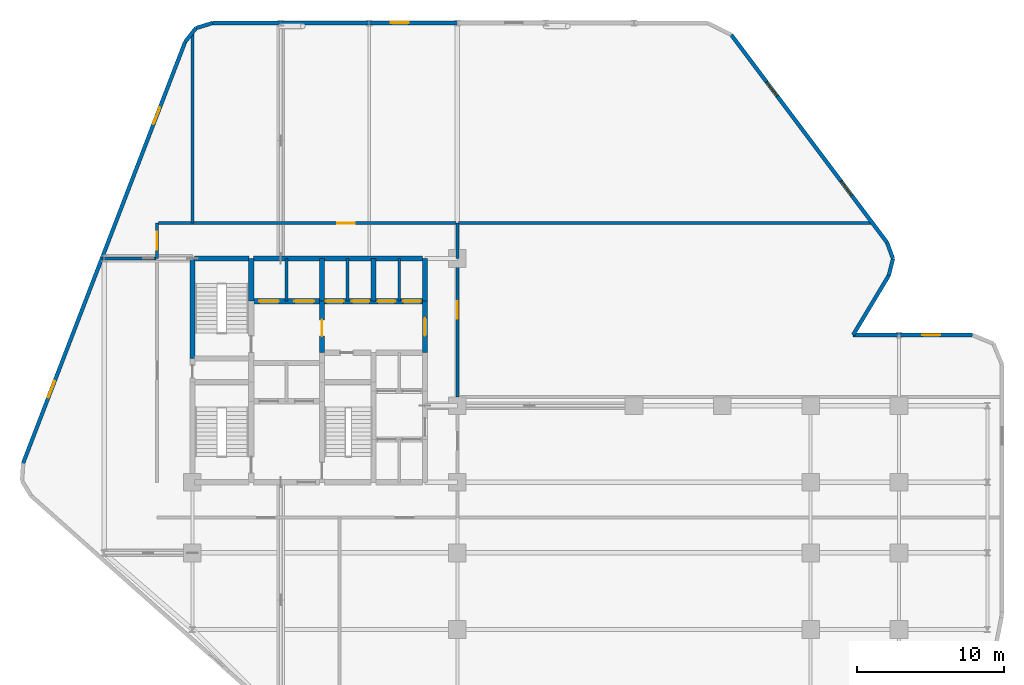
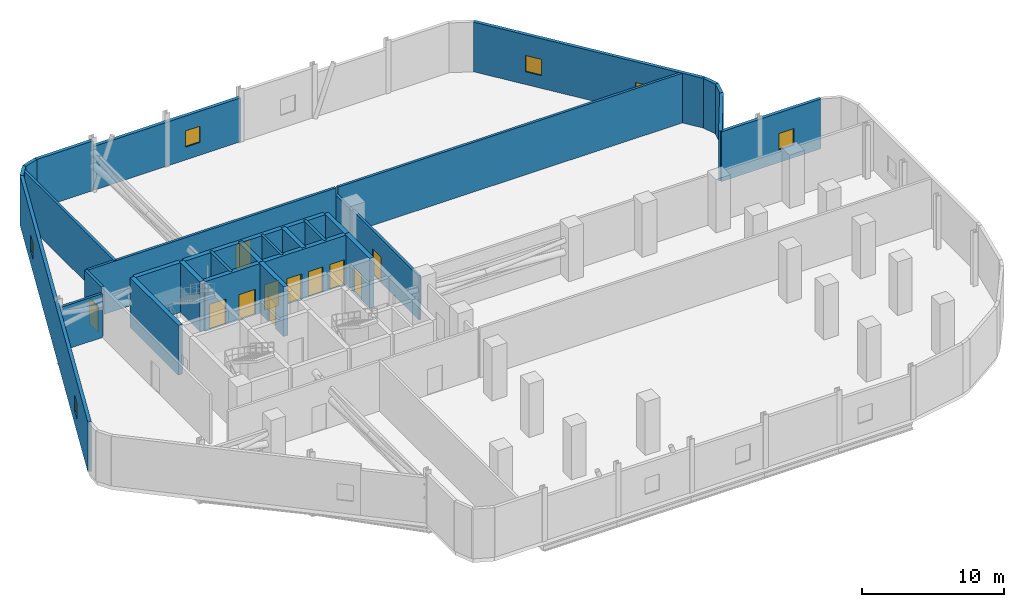
# One storey, part 7 of 9: 30 walls, 11 doors, 6 windows, 17 openings.
"""IFC4 building model written with IfcOpenShell, lengths in metres."""

from ifc_helpers import new_model, si_unit, direction, frame, frame_2d, origin, place, context, subcontext, project, spatial, rectangle, extrude, material, layer, layer_set, type_object, element, fill, save


model = new_model("IFC4")

# Units and contexts
model_context = context("Model", 3, precision=1e-05, world=origin(), true_north=direction((0.0, 1.0)))
body_context = subcontext(model_context, "Body", "Model", "MODEL_VIEW")
ifc_project = project(units=[si_unit("LENGTHUNIT", "METRE"), si_unit("AREAUNIT", "SQUARE_METRE"), si_unit("VOLUMEUNIT", "CUBIC_METRE"), si_unit("PLANEANGLEUNIT", "RADIAN"), si_unit("MASSUNIT", "GRAM", prefix="KILO")], contexts=[model_context])

# Site, building, storey
site_placement = place(None, origin())
site = spatial("IfcSite", under=ifc_project, at=site_placement, CompositionType="ELEMENT")
building_placement = place(site_placement, origin())
building = spatial("IfcBuilding", under=site, at=building_placement, Name="Keshet Zoharim Tower", CompositionType="ELEMENT")
storey_placement = place(building_placement, frame((0.0, 0.0, 61.0)))
storey = spatial("IfcBuildingStorey", under=building, at=storey_placement, Name="L14", CompositionType="ELEMENT", Elevation=61.0)

# Walls
ifc_material_1 = material(Name="Concrete C60/75", Category="concrete")
ifc_layer_1 = layer(ifc_material_1, 0.35009765625)
ifc_layer_set_1 = layer_set([ifc_layer_1], Name="Concrete C60/75")
wall_type_1 = type_object("IfcWallType", Name="WL-CORE-350", PredefinedType="SHEAR", material=ifc_layer_set_1)
wall_1_placement = place(storey_placement, frame((15.0, 31.10009765625, 0.0), z_axis=(0.0, 0.0, 1.0), x_axis=(0.0, 1.0, 0.0)))
element("IfcWall", 1, at=wall_1_placement, inside=storey, type_object=wall_type_1, Name="L14 Core Shear Wall 005", PredefinedType="SHEAR", context=body_context, shape_type="SweptSolid", body=[
    extrude(rectangle(XDim=6.7998046875, YDim=0.35009765625, at=frame_2d((3.39990234375, 0.0))), origin(), (0.0, 0.0, 1.0), 4.280029296875),
])
wall_2_placement = place(storey_placement, frame((19.0, 35.0, 0.0), z_axis=(0.0, 0.0, 1.0), x_axis=(0.0, 1.0, 0.0)))
element("IfcWall", 2, at=wall_2_placement, inside=storey, type_object=wall_type_1, Name="L14 Core Shear Wall 010", PredefinedType="SHEAR", context=body_context, shape_type="SweptSolid", body=[
    extrude(rectangle(XDim=2.89990234375, YDim=0.35009765625, at=frame_2d((1.449951171875, 0.0))), origin(), (0.0, 0.0, 1.0), 4.280029296875),
])

# Wall, opening, door
wall_3_placement = place(storey_placement, frame((23.800048828125, 31.5, 0.0), z_axis=(0.0, 0.0, 1.0), x_axis=(0.0, 1.0, 0.0)))
wall_3 = element("IfcWall", 3, at=wall_3_placement, inside=storey, type_object=wall_type_1, Name="L14 Core Shear Wall 017", PredefinedType="SHEAR", context=body_context, shape_type="SweptSolid", body=[
    extrude(rectangle(XDim=3.5, YDim=0.35009765625, at=frame_2d((1.75, 0.0))), origin(), (0.0, 0.0, 1.0), 4.280029296875),
])
opening_1_placement = place(wall_3_placement, frame((1.126953125, 0.0, 0.0)))
opening_1 = element("IfcOpeningElement", 4, at=opening_1_placement, cuts=wall_3, Name="Opening D-F611", PredefinedType="OPENING", context=body_context, shape_type="SweptSolid", body=[
    extrude(rectangle(XDim=1.10009765625, YDim=2.14990234375, at=frame_2d((0.550048828125, 1.074951171875))), frame((0.0, 0.18505859375, 0.0), z_axis=(0.0, -1.0, 0.0), x_axis=(1.0, 0.0, 0.0)), (0.0, 0.0, 1.0), 0.3701171875),
])
ifc_material_2 = material(Name="Hardwood Timber", Category="wood")
door_type_1 = type_object("IfcDoorType", Name="DR-FD60-110", OperationType="NOTDEFINED", PredefinedType="DOOR", material=ifc_material_2)
door_1_placement = place(opening_1_placement, origin())
door_1 = element("IfcDoor", 5, at=door_1_placement, inside=storey, type_object=door_type_1, Name="L14 Firefighting Lobby Fire Door", OperationType="SINGLE_SWING_RIGHT", OverallHeight=2.14990234375, OverallWidth=1.10009765625, PredefinedType="DOOR", context=body_context, shape_type="SweptSolid", body=[
    extrude(rectangle(XDim=1.10009765625, YDim=2.14990234375, at=frame_2d((0.550048828125, 1.074951171875))), frame((0.0, 0.02490234375, 0.0), z_axis=(0.0, -1.0, 0.0), x_axis=(1.0, 0.0, 0.0)), (0.0, 0.0, 1.0), 0.050048828125),
])
fill(opening_1, door_1)

# Walls
for number, where, z_axis, x_axis, name in (
    (6, (23.800048828125, 35.0, 0.0), (0.0, 0.0, 1.0), (0.0, 1.0, 0.0), "L14 Core Shear Wall 018"),
    (7, (27.300048828125, 35.0, 0.0), (0.0, 0.0, 1.0), (0.0, 1.0, 0.0), "L14 Core Shear Wall 025"),
):
    element("IfcWall", number, at=place(storey_placement, frame(where, z_axis=z_axis, x_axis=x_axis)), inside=storey, type_object=wall_type_1, Name=name, PredefinedType="SHEAR", context=body_context, shape_type="SweptSolid", body=[
        extrude(rectangle(XDim=2.89990234375, YDim=0.35009765625, at=frame_2d((1.449951171875, 0.0))), origin(), (0.0, 0.0, 1.0), 4.280029296875),
    ])

# Wall, opening, door
wall_4_placement = place(storey_placement, frame((30.800048828125, 31.5, 0.0), z_axis=(0.0, 0.0, 1.0), x_axis=(0.0, 1.0, 0.0)))
wall_4 = element("IfcWall", 8, at=wall_4_placement, inside=storey, type_object=wall_type_1, Name="L14 Core Shear Wall 032", PredefinedType="SHEAR", context=body_context, shape_type="SweptSolid", body=[
    extrude(rectangle(XDim=3.5, YDim=0.35009765625, at=frame_2d((1.75, 0.0))), origin(), (0.0, 0.0, 1.0), 4.280029296875),
])
opening_2_placement = place(wall_4_placement, frame((1.14990234375, 0.0, 0.0)))
opening_2 = element("IfcOpeningElement", 9, at=opening_2_placement, cuts=wall_4, Name="Opening D-F612", PredefinedType="OPENING", context=body_context, shape_type="SweptSolid", body=[
    extrude(rectangle(XDim=1.199951171875, YDim=2.199951171875, at=frame_2d((0.60009765625, 1.10009765625))), frame((0.0, 0.18505859375, 0.0), z_axis=(0.0, -1.0, 0.0), x_axis=(1.0, 0.0, 0.0)), (0.0, 0.0, 1.0), 0.3701171875),
])
door_type_2 = type_object("IfcDoorType", Name="DR-FD60-120", OperationType="NOTDEFINED", PredefinedType="DOOR", material=ifc_material_2)
door_2_placement = place(opening_2_placement, origin())
door_2 = element("IfcDoor", 10, at=door_2_placement, inside=storey, type_object=door_type_2, Name="L14 North Lift Lobby East Fire Door", OperationType="SINGLE_SWING_RIGHT", OverallHeight=2.199951171875, OverallWidth=1.199951171875, PredefinedType="DOOR", context=body_context, shape_type="SweptSolid", body=[
    extrude(rectangle(XDim=1.199951171875, YDim=2.199951171875, at=frame_2d((0.60009765625, 1.10009765625))), frame((0.0, 0.02490234375, 0.0), z_axis=(0.0, -1.0, 0.0), x_axis=(1.0, 0.0, 0.0)), (0.0, 0.0, 1.0), 0.050048828125),
])
fill(opening_2, door_2)

# Wall
wall_5_placement = place(storey_placement, frame((30.800048828125, 35.0, 0.0), z_axis=(0.0, 0.0, 1.0), x_axis=(0.0, 1.0, 0.0)))
element("IfcWall", 11, at=wall_5_placement, inside=storey, type_object=wall_type_1, Name="L14 Core Shear Wall 033", PredefinedType="SHEAR", context=body_context, shape_type="SweptSolid", body=[
    extrude(rectangle(XDim=2.89990234375, YDim=0.35009765625, at=frame_2d((1.449951171875, 0.0))), origin(), (0.0, 0.0, 1.0), 4.280029296875),
])

# Wall, openings, doors
wall_6_placement = place(storey_placement, frame((19.159912109375, 35.0, 0.0), z_axis=(0.0, 0.0, 1.0), x_axis=(1.0, 0.0, 0.0)))
wall_6 = element("IfcWall", 12, at=wall_6_placement, inside=storey, type_object=wall_type_1, Name="L14 Core Shear Wall 052", PredefinedType="SHEAR", context=body_context, shape_type="SweptSolid", body=[
    extrude(rectangle(XDim=11.47998046875, YDim=0.35009765625, at=frame_2d((5.739990234375, 0.0))), origin(), (0.0, 0.0, 1.0), 4.280029296875),
])
opening_3_placement = place(wall_6_placement, frame((0.364990234375, 0.0, 0.0)))
opening_3 = element("IfcOpeningElement", 13, at=opening_3_placement, cuts=wall_6, Name="Opening LD-02", PredefinedType="OPENING", context=body_context, shape_type="SweptSolid", body=[
    extrude(rectangle(XDim=1.35009765625, YDim=2.199951171875, at=frame_2d((0.675048828125, 1.10009765625))), frame((0.0, 0.18505859375, 0.0), z_axis=(0.0, -1.0, 0.0), x_axis=(1.0, 0.0, 0.0)), (0.0, 0.0, 1.0), 0.3701171875),
])
opening_4_placement = place(wall_6_placement, frame((2.764892578125, 0.0, 0.0)))
opening_4 = element("IfcOpeningElement", 14, at=opening_4_placement, cuts=wall_6, Name="Opening LD-02", PredefinedType="OPENING", context=body_context, shape_type="SweptSolid", body=[
    extrude(rectangle(XDim=1.35009765625, YDim=2.199951171875, at=frame_2d((0.675048828125, 1.10009765625))), frame((0.0, 0.18505859375, 0.0), z_axis=(0.0, -1.0, 0.0), x_axis=(1.0, 0.0, 0.0)), (0.0, 0.0, 1.0), 0.3701171875),
])
opening_5_placement = place(wall_6_placement, frame((4.9150390625, 0.0, 0.0)))
opening_5 = element("IfcOpeningElement", 15, at=opening_5_placement, cuts=wall_6, Name="Opening LD-03", PredefinedType="OPENING", context=body_context, shape_type="SweptSolid", body=[
    extrude(rectangle(XDim=1.199951171875, YDim=2.199951171875, at=frame_2d((0.60009765625, 1.10009765625))), frame((0.0, 0.18505859375, 0.0), z_axis=(0.0, -1.0, 0.0), x_axis=(1.0, 0.0, 0.0)), (0.0, 0.0, 1.0), 0.3701171875),
])
opening_6_placement = place(wall_6_placement, frame((6.6650390625, 0.0, 0.0)))
opening_6 = element("IfcOpeningElement", 16, at=opening_6_placement, cuts=wall_6, Name="Opening LD-03", PredefinedType="OPENING", context=body_context, shape_type="SweptSolid", body=[
    extrude(rectangle(XDim=1.199951171875, YDim=2.199951171875, at=frame_2d((0.60009765625, 1.10009765625))), frame((0.0, 0.18505859375, 0.0), z_axis=(0.0, -1.0, 0.0), x_axis=(1.0, 0.0, 0.0)), (0.0, 0.0, 1.0), 0.3701171875),
])
opening_7_placement = place(wall_6_placement, frame((8.4150390625, 0.0, 0.0)))
opening_7 = element("IfcOpeningElement", 17, at=opening_7_placement, cuts=wall_6, Name="Opening LD-03", PredefinedType="OPENING", context=body_context, shape_type="SweptSolid", body=[
    extrude(rectangle(XDim=1.199951171875, YDim=2.199951171875, at=frame_2d((0.60009765625, 1.10009765625))), frame((0.0, 0.18505859375, 0.0), z_axis=(0.0, -1.0, 0.0), x_axis=(1.0, 0.0, 0.0)), (0.0, 0.0, 1.0), 0.3701171875),
])
opening_8_placement = place(wall_6_placement, frame((10.159912109375, 0.0, 0.0)))
opening_8 = element("IfcOpeningElement", 18, at=opening_8_placement, cuts=wall_6, Name="Opening LD-03", PredefinedType="OPENING", context=body_context, shape_type="SweptSolid", body=[
    extrude(rectangle(XDim=1.199951171875, YDim=2.199951171875, at=frame_2d((0.60009765625, 1.10009765625))), frame((0.0, 0.18505859375, 0.0), z_axis=(0.0, -1.0, 0.0), x_axis=(1.0, 0.0, 0.0)), (0.0, 0.0, 1.0), 0.3701171875),
])
ifc_material_3 = material(Name="Steel S355", Category="steel")
door_type_3 = type_object("IfcDoorType", Name="DR-LD02-135", OperationType="DOUBLE_DOOR_SLIDING", PredefinedType="DOOR", material=ifc_material_3)
door_3_placement = place(opening_3_placement, origin())
door_3 = element("IfcDoor", 19, at=door_3_placement, inside=storey, type_object=door_type_3, Name="L14 Firefighting Lift Landing Door FF-01", OperationType="DOUBLE_DOOR_SLIDING", OverallHeight=2.199951171875, OverallWidth=1.35009765625, PredefinedType="DOOR", context=body_context, shape_type="SweptSolid", body=[
    extrude(rectangle(XDim=1.35009765625, YDim=2.199951171875, at=frame_2d((0.675048828125, 1.10009765625))), frame((0.0, 0.02490234375, 0.0), z_axis=(0.0, -1.0, 0.0), x_axis=(1.0, 0.0, 0.0)), (0.0, 0.0, 1.0), 0.050048828125),
])
fill(opening_3, door_3)
door_4_placement = place(opening_4_placement, origin())
door_4 = element("IfcDoor", 20, at=door_4_placement, inside=storey, type_object=door_type_3, Name="L14 Firefighting Lift Landing Door FF-02", OperationType="DOUBLE_DOOR_SLIDING", OverallHeight=2.199951171875, OverallWidth=1.35009765625, PredefinedType="DOOR", context=body_context, shape_type="SweptSolid", body=[
    extrude(rectangle(XDim=1.35009765625, YDim=2.199951171875, at=frame_2d((0.675048828125, 1.10009765625))), frame((0.0, 0.02490234375, 0.0), z_axis=(0.0, -1.0, 0.0), x_axis=(1.0, 0.0, 0.0)), (0.0, 0.0, 1.0), 0.050048828125),
])
fill(opening_4, door_4)
door_type_4 = type_object("IfcDoorType", Name="DR-LD03-120", OperationType="DOUBLE_DOOR_SLIDING", PredefinedType="DOOR", material=ifc_material_3)
door_5_placement = place(opening_5_placement, origin())
door_5 = element("IfcDoor", 21, at=door_5_placement, inside=storey, type_object=door_type_4, Name="L14 Passenger Lift Landing Door LF-01", OperationType="DOUBLE_DOOR_SLIDING", OverallHeight=2.199951171875, OverallWidth=1.199951171875, PredefinedType="DOOR", context=body_context, shape_type="SweptSolid", body=[
    extrude(rectangle(XDim=1.199951171875, YDim=2.199951171875, at=frame_2d((0.60009765625, 1.10009765625))), frame((0.0, 0.02490234375, 0.0), z_axis=(0.0, -1.0, 0.0), x_axis=(1.0, 0.0, 0.0)), (0.0, 0.0, 1.0), 0.050048828125),
])
fill(opening_5, door_5)
door_6_placement = place(opening_6_placement, origin())
door_6 = element("IfcDoor", 22, at=door_6_placement, inside=storey, type_object=door_type_4, Name="L14 Passenger Lift Landing Door LF-02", OperationType="DOUBLE_DOOR_SLIDING", OverallHeight=2.199951171875, OverallWidth=1.199951171875, PredefinedType="DOOR", context=body_context, shape_type="SweptSolid", body=[
    extrude(rectangle(XDim=1.199951171875, YDim=2.199951171875, at=frame_2d((0.60009765625, 1.10009765625))), frame((0.0, 0.02490234375, 0.0), z_axis=(0.0, -1.0, 0.0), x_axis=(1.0, 0.0, 0.0)), (0.0, 0.0, 1.0), 0.050048828125),
])
fill(opening_6, door_6)
door_7_placement = place(opening_7_placement, origin())
door_7 = element("IfcDoor", 23, at=door_7_placement, inside=storey, type_object=door_type_4, Name="L14 Passenger Lift Landing Door LF-03", OperationType="DOUBLE_DOOR_SLIDING", OverallHeight=2.199951171875, OverallWidth=1.199951171875, PredefinedType="DOOR", context=body_context, shape_type="SweptSolid", body=[
    extrude(rectangle(XDim=1.199951171875, YDim=2.199951171875, at=frame_2d((0.60009765625, 1.10009765625))), frame((0.0, 0.02490234375, 0.0), z_axis=(0.0, -1.0, 0.0), x_axis=(1.0, 0.0, 0.0)), (0.0, 0.0, 1.0), 0.050048828125),
])
fill(opening_7, door_7)
door_8_placement = place(opening_8_placement, origin())
door_8 = element("IfcDoor", 24, at=door_8_placement, inside=storey, type_object=door_type_4, Name="L14 Passenger Lift Landing Door LF-04", OperationType="DOUBLE_DOOR_SLIDING", OverallHeight=2.199951171875, OverallWidth=1.199951171875, PredefinedType="DOOR", context=body_context, shape_type="SweptSolid", body=[
    extrude(rectangle(XDim=1.199951171875, YDim=2.199951171875, at=frame_2d((0.60009765625, 1.10009765625))), frame((0.0, 0.02490234375, 0.0), z_axis=(0.0, -1.0, 0.0), x_axis=(1.0, 0.0, 0.0)), (0.0, 0.0, 1.0), 0.050048828125),
])
fill(opening_8, door_8)

# Walls
wall_7_placement = place(storey_placement, frame((15.159912109375, 37.89990234375, 0.0), z_axis=(0.0, 0.0, 1.0), x_axis=(1.0, 0.0, 0.0)))
element("IfcWall", 25, at=wall_7_placement, inside=storey, type_object=wall_type_1, Name="L14 Core Shear Wall 054", PredefinedType="SHEAR", context=body_context, shape_type="SweptSolid", body=[
    extrude(rectangle(XDim=3.68017578125, YDim=0.35009765625, at=frame_2d((1.840087890625, 0.0))), origin(), (0.0, 0.0, 1.0), 4.280029296875),
])
wall_8_placement = place(storey_placement, frame((19.159912109375, 37.89990234375, 0.0), z_axis=(0.0, 0.0, 1.0), x_axis=(1.0, 0.0, 0.0)))
element("IfcWall", 26, at=wall_8_placement, inside=storey, type_object=wall_type_1, Name="L14 Core Shear Wall 055", PredefinedType="SHEAR", context=body_context, shape_type="SweptSolid", body=[
    extrude(rectangle(XDim=11.47998046875, YDim=0.35009765625, at=frame_2d((5.739990234375, 0.0))), origin(), (0.0, 0.0, 1.0), 4.280029296875),
])

# Wall, openings, windows
ifc_material_4 = material(Name="Concrete C50/60 precast", Category="concrete")
ifc_layer_2 = layer(ifc_material_4, 0.260009765625)
ifc_layer_set_2 = layer_set([ifc_layer_2], Name="Concrete C50/60 precast")
wall_type_2 = type_object("IfcWallType", Name="WL-EXT-260", PredefinedType="STANDARD", material=ifc_layer_set_2)
wall_9_placement = place(storey_placement, frame((3.4970703125, 23.992919921875, 0.0), z_axis=(0.0, 0.0, 1.0), x_axis=(0.358990281293, 0.93334129767, 0.0)))
wall_9 = element("IfcWall", 27, at=wall_9_placement, inside=storey, type_object=wall_type_2, Name="L14 Exterior Facade Wall 04", PredefinedType="STANDARD", context=body_context, shape_type="SweptSolid", body=[
    extrude(rectangle(XDim=30.66943359375, YDim=0.260009765625, at=frame_2d((15.334716796875, 0.0))), origin(), (0.0, 0.0, 1.0), 4.280029296875),
])
opening_9_placement = place(wall_9_placement, frame((4.778076171875, 0.0, 1.10009765625)))
opening_9 = element("IfcOpeningElement", 28, at=opening_9_placement, cuts=wall_9, Name="Opening W-120", PredefinedType="OPENING", context=body_context, shape_type="SweptSolid", body=[
    extrude(rectangle(XDim=1.199951171875, YDim=1.39990234375, at=frame_2d((0.60009765625, 0.699951171875))), frame((0.0, 0.14013671875, 0.0), z_axis=(0.0, -1.0, 0.0), x_axis=(1.0, 0.0, 0.0)), (0.0, 0.0, 1.0), 0.280029296875),
])
opening_10_placement = place(wall_9_placement, frame((24.69091796875, 0.0, 1.10009765625)))
opening_10 = element("IfcOpeningElement", 29, at=opening_10_placement, cuts=wall_9, Name="Opening W-120", PredefinedType="OPENING", context=body_context, shape_type="SweptSolid", body=[
    extrude(rectangle(XDim=1.199951171875, YDim=1.39990234375, at=frame_2d((0.60009765625, 0.699951171875))), frame((0.0, 0.14013671875, 0.0), z_axis=(0.0, -1.0, 0.0), x_axis=(1.0, 0.0, 0.0)), (0.0, 0.0, 1.0), 0.280029296875),
])
ifc_material_5 = material(Name="Insulated Low-E Clear Glass", Category="glass")
window_type = type_object("IfcWindowType", Name="WN-REF-120", PartitioningType="SINGLE_PANEL", PredefinedType="WINDOW", material=ifc_material_5)
window_1_placement = place(opening_9_placement, origin())
window_1 = element("IfcWindow", 30, at=window_1_placement, inside=storey, type_object=window_type, Name="L14 Refuge Smoke Window 02", OverallHeight=1.39990234375, OverallWidth=1.199951171875, PartitioningType="SINGLE_PANEL", PredefinedType="WINDOW", context=body_context, shape_type="SweptSolid", body=[
    extrude(rectangle(XDim=1.199951171875, YDim=1.39990234375, at=frame_2d((0.60009765625, 0.699951171875))), frame((0.0, 0.030029296875, 0.0), z_axis=(0.0, -1.0, 0.0), x_axis=(1.0, 0.0, 0.0)), (0.0, 0.0, 1.0), 0.06005859375),
])
fill(opening_9, window_1)
window_2_placement = place(opening_10_placement, origin())
window_2 = element("IfcWindow", 31, at=window_2_placement, inside=storey, type_object=window_type, Name="L14 Refuge Smoke Window 03", OverallHeight=1.39990234375, OverallWidth=1.199951171875, PartitioningType="SINGLE_PANEL", PredefinedType="WINDOW", context=body_context, shape_type="SweptSolid", body=[
    extrude(rectangle(XDim=1.199951171875, YDim=1.39990234375, at=frame_2d((0.60009765625, 0.699951171875))), frame((0.0, 0.030029296875, 0.0), z_axis=(0.0, -1.0, 0.0), x_axis=(1.0, 0.0, 0.0)), (0.0, 0.0, 1.0), 0.06005859375),
])
fill(opening_10, window_2)

# Walls
wall_10_placement = place(storey_placement, frame((14.507080078125, 52.617919921875, 0.0), z_axis=(0.0, 0.0, 1.0), x_axis=(0.619003121736, 0.78538852505, 0.0)))
element("IfcWall", 32, at=wall_10_placement, inside=storey, type_object=wall_type_2, Name="L14 Exterior Facade Wall 05", PredefinedType="STANDARD", context=body_context, shape_type="SweptSolid", body=[
    extrude(rectangle(XDim=1.185546875, YDim=0.260009765625, at=frame_2d((0.5927734375, 0.0))), origin(), (0.0, 0.0, 1.0), 4.280029296875),
])
wall_11_placement = place(storey_placement, frame((15.240966796875, 53.549072265625, 0.0), z_axis=(0.0, 0.0, 1.0), x_axis=(0.955256816454, 0.295777643879, 0.0)))
element("IfcWall", 33, at=wall_11_placement, inside=storey, type_object=wall_type_2, Name="L14 Exterior Facade Wall 06", PredefinedType="STANDARD", context=body_context, shape_type="SweptSolid", body=[
    extrude(rectangle(XDim=1.18603515625, YDim=0.260009765625, at=frame_2d((0.593017578125, 0.0))), origin(), (0.0, 0.0, 1.0), 4.280029296875),
])
wall_12_placement = place(storey_placement, frame((16.3740234375, 53.89990234375, 0.0), z_axis=(0.0, 0.0, 1.0), x_axis=(1.0, 0.0, 0.0)))
element("IfcWall", 34, at=wall_12_placement, inside=storey, type_object=wall_type_2, Name="L14 Exterior Facade Wall 07", PredefinedType="STANDARD", context=body_context, shape_type="SweptSolid", body=[
    extrude(rectangle(XDim=4.6259765625, YDim=0.260009765625, at=frame_2d((2.31298828125, 0.0))), origin(), (0.0, 0.0, 1.0), 4.280029296875),
])

# Wall, openings, windows
wall_13_placement = place(storey_placement, frame((51.60009765625, 53.10009765625, 0.0), z_axis=(0.0, 0.0, 1.0), x_axis=(0.6, -0.8, 0.0)))
wall_13 = element("IfcWall", 35, at=wall_13_placement, inside=storey, type_object=wall_type_2, Name="L14 Exterior Facade Wall 09", PredefinedType="STANDARD", context=body_context, shape_type="SweptSolid", body=[
    extrude(rectangle(XDim=17.655029296875, YDim=0.260009765625, at=frame_2d((8.82763671875, 0.0))), origin(), (0.0, 0.0, 1.0), 4.280029296875),
])
opening_11_placement = place(wall_13_placement, frame((4.013916015625, 0.0, 1.10009765625)))
opening_11 = element("IfcOpeningElement", 36, at=opening_11_placement, cuts=wall_13, Name="Opening W-120", PredefinedType="OPENING", context=body_context, shape_type="SweptSolid", body=[
    extrude(rectangle(XDim=1.199951171875, YDim=1.39990234375, at=frame_2d((0.60009765625, 0.699951171875))), frame((0.0, 0.14013671875, 0.0), z_axis=(0.0, -1.0, 0.0), x_axis=(1.0, 0.0, 0.0)), (0.0, 0.0, 1.0), 0.280029296875),
])
opening_12_placement = place(wall_13_placement, frame((12.44091796875, 0.0, 1.10009765625)))
opening_12 = element("IfcOpeningElement", 37, at=opening_12_placement, cuts=wall_13, Name="Opening W-120", PredefinedType="OPENING", context=body_context, shape_type="SweptSolid", body=[
    extrude(rectangle(XDim=1.199951171875, YDim=1.39990234375, at=frame_2d((0.60009765625, 0.699951171875))), frame((0.0, 0.14013671875, 0.0), z_axis=(0.0, -1.0, 0.0), x_axis=(1.0, 0.0, 0.0)), (0.0, 0.0, 1.0), 0.280029296875),
])
window_3_placement = place(opening_11_placement, origin())
window_3 = element("IfcWindow", 38, at=window_3_placement, inside=storey, type_object=window_type, Name="L14 Refuge Smoke Window 06", OverallHeight=1.39990234375, OverallWidth=1.199951171875, PartitioningType="SINGLE_PANEL", PredefinedType="WINDOW", context=body_context, shape_type="SweptSolid", body=[
    extrude(rectangle(XDim=1.199951171875, YDim=1.39990234375, at=frame_2d((0.60009765625, 0.699951171875))), frame((0.0, 0.030029296875, 0.0), z_axis=(0.0, -1.0, 0.0), x_axis=(1.0, 0.0, 0.0)), (0.0, 0.0, 1.0), 0.06005859375),
])
fill(opening_11, window_3)
window_4_placement = place(opening_12_placement, origin())
window_4 = element("IfcWindow", 39, at=window_4_placement, inside=storey, type_object=window_type, Name="L14 Refuge Smoke Window 07", OverallHeight=1.39990234375, OverallWidth=1.199951171875, PartitioningType="SINGLE_PANEL", PredefinedType="WINDOW", context=body_context, shape_type="SweptSolid", body=[
    extrude(rectangle(XDim=1.199951171875, YDim=1.39990234375, at=frame_2d((0.60009765625, 0.699951171875))), frame((0.0, 0.030029296875, 0.0), z_axis=(0.0, -1.0, 0.0), x_axis=(1.0, 0.0, 0.0)), (0.0, 0.0, 1.0), 0.06005859375),
])
fill(opening_12, window_4)

# Walls
wall_14_placement = place(storey_placement, frame((62.193115234375, 38.97607421875, 0.0), z_axis=(0.0, 0.0, 1.0), x_axis=(0.34023056637, -0.94034204506, 0.0)))
element("IfcWall", 40, at=wall_14_placement, inside=storey, type_object=wall_type_2, Name="L14 Exterior Facade Wall 10", PredefinedType="STANDARD", context=body_context, shape_type="SweptSolid", body=[
    extrude(rectangle(XDim=1.166748046875, YDim=0.260009765625, at=frame_2d((0.58349609375, 0.0))), origin(), (0.0, 0.0, 1.0), 4.280029296875),
])
wall_15_placement = place(storey_placement, frame((62.590087890625, 37.87890625, 0.0), z_axis=(0.0, 0.0, 1.0), x_axis=(-0.241747572301, -0.970339173324, 0.0)))
element("IfcWall", 41, at=wall_15_placement, inside=storey, type_object=wall_type_2, Name="L14 Exterior Facade Wall 11", PredefinedType="STANDARD", context=body_context, shape_type="SweptSolid", body=[
    extrude(rectangle(XDim=1.16650390625, YDim=0.260009765625, at=frame_2d((0.583251953125, 0.0))), origin(), (0.0, 0.0, 1.0), 4.280029296875),
])
wall_16_placement = place(storey_placement, frame((62.30810546875, 36.7470703125, 0.0), z_axis=(0.0, 0.0, 1.0), x_axis=(-0.514488148327, -0.857497489927, 0.0)))
element("IfcWall", 42, at=wall_16_placement, inside=storey, type_object=wall_type_2, Name="L14 Exterior Facade Wall 12", PredefinedType="STANDARD", context=body_context, shape_type="SweptSolid", body=[
    extrude(rectangle(XDim=4.7197265625, YDim=0.260009765625, at=frame_2d((2.35986328125, 0.0))), origin(), (0.0, 0.0, 1.0), 4.280029296875),
])

# Wall, opening, window
wall_17_placement = place(storey_placement, frame((59.8798828125, 32.699951171875, 0.0), z_axis=(0.0, 0.0, 1.0), x_axis=(1.0, 0.0, 0.0)))
wall_17 = element("IfcWall", 43, at=wall_17_placement, inside=storey, type_object=wall_type_2, Name="L14 Exterior Facade Wall 13", PredefinedType="STANDARD", context=body_context, shape_type="SweptSolid", body=[
    extrude(rectangle(XDim=8.1201171875, YDim=0.260009765625, at=frame_2d((4.06005859375, 0.0))), origin(), (0.0, 0.0, 1.0), 4.280029296875),
])
opening_13_placement = place(wall_17_placement, frame((4.7099609375, 0.0, 1.10009765625)))
opening_13 = element("IfcOpeningElement", 44, at=opening_13_placement, cuts=wall_17, Name="Opening W-120", PredefinedType="OPENING", context=body_context, shape_type="SweptSolid", body=[
    extrude(rectangle(XDim=1.199951171875, YDim=1.39990234375, at=frame_2d((0.60009765625, 0.699951171875))), frame((0.0, 0.14013671875, 0.0), z_axis=(0.0, -1.0, 0.0), x_axis=(1.0, 0.0, 0.0)), (0.0, 0.0, 1.0), 0.280029296875),
])
window_5_placement = place(opening_13_placement, origin())
window_5 = element("IfcWindow", 45, at=window_5_placement, inside=storey, type_object=window_type, Name="L14 Refuge Smoke Window 08", OverallHeight=1.39990234375, OverallWidth=1.199951171875, PartitioningType="SINGLE_PANEL", PredefinedType="WINDOW", context=body_context, shape_type="SweptSolid", body=[
    extrude(rectangle(XDim=1.199951171875, YDim=1.39990234375, at=frame_2d((0.60009765625, 0.699951171875))), frame((0.0, 0.030029296875, 0.0), z_axis=(0.0, -1.0, 0.0), x_axis=(1.0, 0.0, 0.0)), (0.0, 0.0, 1.0), 0.06005859375),
])
fill(opening_13, window_5)

wall_18_placement = place(storey_placement, frame((21.0, 53.89990234375, 0.0), z_axis=(0.0, 0.0, 1.0), x_axis=(1.0, 0.0, 0.0)))
wall_18 = element("IfcWall", 46, at=wall_18_placement, inside=storey, type_object=wall_type_2, Name="L14 Exterior Facade Wall 07 Part 2", PredefinedType="STANDARD", context=body_context, shape_type="SweptSolid", body=[
    extrude(rectangle(XDim=12.0, YDim=0.260009765625, at=frame_2d((6.0, 0.0))), origin(), (0.0, 0.0, 1.0), 3.780029296875),
])
opening_14_placement = place(wall_18_placement, frame((7.48388671875, 0.0, 1.10009765625)))
opening_14 = element("IfcOpeningElement", 47, at=opening_14_placement, cuts=wall_18, Name="Opening W-120", PredefinedType="OPENING", context=body_context, shape_type="SweptSolid", body=[
    extrude(rectangle(XDim=1.199951171875, YDim=1.39990234375, at=frame_2d((0.60009765625, 0.699951171875))), frame((0.0, 0.14013671875, 0.0), z_axis=(0.0, -1.0, 0.0), x_axis=(1.0, 0.0, 0.0)), (0.0, 0.0, 1.0), 0.280029296875),
])
window_6_placement = place(opening_14_placement, origin())
window_6 = element("IfcWindow", 48, at=window_6_placement, inside=storey, type_object=window_type, Name="L14 Refuge Smoke Window 04", OverallHeight=1.39990234375, OverallWidth=1.199951171875, PartitioningType="SINGLE_PANEL", PredefinedType="WINDOW", context=body_context, shape_type="SweptSolid", body=[
    extrude(rectangle(XDim=1.199951171875, YDim=1.39990234375, at=frame_2d((0.60009765625, 0.699951171875))), frame((0.0, 0.030029296875, 0.0), z_axis=(0.0, -1.0, 0.0), x_axis=(1.0, 0.0, 0.0)), (0.0, 0.0, 1.0), 0.06005859375),
])
fill(opening_14, window_6)

# Wall, opening, door
ifc_material_6 = material(Name="Concrete C50/60", Category="concrete")
ifc_layer_3 = layer(ifc_material_6, 0.199951171875)
ifc_layer_set_3 = layer_set([ifc_layer_3], Name="Concrete C50/60")
wall_type_3 = type_object("IfcWallType", Name="WL-FIRE-200", PredefinedType="STANDARD", material=ifc_layer_set_3)
wall_19_placement = place(storey_placement, frame((12.60009765625, 37.89990234375, 0.0), z_axis=(0.0, 0.0, 1.0), x_axis=(0.0, 1.0, 0.0)))
wall_19 = element("IfcWall", 49, at=wall_19_placement, inside=storey, type_object=wall_type_3, Name="L14 Interior Wall 002", PredefinedType="STANDARD", context=body_context, shape_type="SweptSolid", body=[
    extrude(rectangle(XDim=2.400146484375, YDim=0.199951171875, at=frame_2d((1.2001953125, 0.0))), origin(), (0.0, 0.0, 1.0), 4.280029296875),
])
opening_15_placement = place(wall_19_placement, frame((0.60009765625, 0.0, 0.0)))
opening_15 = element("IfcOpeningElement", 50, at=opening_15_placement, cuts=wall_19, Name="Opening D-F612", PredefinedType="OPENING", context=body_context, shape_type="SweptSolid", body=[
    extrude(rectangle(XDim=1.199951171875, YDim=2.199951171875, at=frame_2d((0.60009765625, 1.10009765625))), frame((0.0, 0.10986328125, 0.0), z_axis=(0.0, -1.0, 0.0), x_axis=(1.0, 0.0, 0.0)), (0.0, 0.0, 1.0), 0.219970703125),
])
door_9_placement = place(opening_15_placement, origin())
door_9 = element("IfcDoor", 51, at=door_9_placement, inside=storey, type_object=door_type_2, Name="L14 Telecom and BMS Server Room Fire Door", OperationType="SINGLE_SWING_LEFT", OverallHeight=2.199951171875, OverallWidth=1.199951171875, PredefinedType="DOOR", context=body_context, shape_type="SweptSolid", body=[
    extrude(rectangle(XDim=1.199951171875, YDim=2.199951171875, at=frame_2d((0.60009765625, 1.10009765625))), frame((0.0, 0.02490234375, 0.0), z_axis=(0.0, -1.0, 0.0), x_axis=(1.0, 0.0, 0.0)), (0.0, 0.0, 1.0), 0.050048828125),
])
fill(opening_15, door_9)

# Walls
wall_20_placement = place(storey_placement, frame((15.0, 40.300048828125, 0.0), z_axis=(0.0, 0.0, 1.0), x_axis=(0.0, 1.0, 0.0)))
element("IfcWall", 52, at=wall_20_placement, inside=storey, type_object=wall_type_3, Name="L14 Interior Wall 006", PredefinedType="STANDARD", context=body_context, shape_type="SweptSolid", body=[
    extrude(rectangle(XDim=12.932861328125, YDim=0.199951171875, at=frame_2d((6.46630859375, 0.0))), origin(), (0.0, 0.0, 1.0), 4.280029296875),
])
for number, where, z_axis, x_axis, name in (
    (53, (21.39990234375, 35.0, 0.0), (0.0, 0.0, 1.0), (0.0, 1.0, 0.0), "L14 Interior Wall 012"),
    (54, (25.550048828125, 35.0, 0.0), (0.0, 0.0, 1.0), (0.0, 1.0, 0.0), "L14 Interior Wall 020"),
    (55, (29.050048828125, 35.0, 0.0), (0.0, 0.0, 1.0), (0.0, 1.0, 0.0), "L14 Interior Wall 028"),
):
    element("IfcWall", number, at=place(storey_placement, frame(where, z_axis=z_axis, x_axis=x_axis)), inside=storey, type_object=wall_type_3, Name=name, PredefinedType="STANDARD", context=body_context, shape_type="SweptSolid", body=[
        extrude(rectangle(XDim=2.89990234375, YDim=0.199951171875, at=frame_2d((1.449951171875, 0.0))), origin(), (0.0, 0.0, 1.0), 4.280029296875),
    ])

# Wall, opening, door
wall_21_placement = place(storey_placement, frame((33.0, 28.5, 0.0), z_axis=(0.0, 0.0, 1.0), x_axis=(0.0, 1.0, 0.0)))
wall_21 = element("IfcWall", 56, at=wall_21_placement, inside=storey, type_object=wall_type_3, Name="L14 Interior Wall 035", PredefinedType="STANDARD", context=body_context, shape_type="SweptSolid", body=[
    extrude(rectangle(XDim=9.39990234375, YDim=0.199951171875, at=frame_2d((4.699951171875, 0.0))), origin(), (0.0, 0.0, 1.0), 3.780029296875),
])
opening_16_placement = place(wall_21_placement, frame((5.300048828125, 0.0, 0.0)))
opening_16 = element("IfcOpeningElement", 57, at=opening_16_placement, cuts=wall_21, Name="Opening D-F612", PredefinedType="OPENING", context=body_context, shape_type="SweptSolid", body=[
    extrude(rectangle(XDim=1.199951171875, YDim=2.199951171875, at=frame_2d((0.60009765625, 1.10009765625))), frame((0.0, 0.10986328125, 0.0), z_axis=(0.0, -1.0, 0.0), x_axis=(1.0, 0.0, 0.0)), (0.0, 0.0, 1.0), 0.219970703125),
])
door_10_placement = place(opening_16_placement, origin())
door_10 = element("IfcDoor", 58, at=door_10_placement, inside=storey, type_object=door_type_2, Name="L14 Refuge Area East Fire Door", OperationType="SINGLE_SWING_RIGHT", OverallHeight=2.199951171875, OverallWidth=1.199951171875, PredefinedType="DOOR", context=body_context, shape_type="SweptSolid", body=[
    extrude(rectangle(XDim=1.199951171875, YDim=2.199951171875, at=frame_2d((0.60009765625, 1.10009765625))), frame((0.0, 0.02490234375, 0.0), z_axis=(0.0, -1.0, 0.0), x_axis=(1.0, 0.0, 0.0)), (0.0, 0.0, 1.0), 0.050048828125),
])
fill(opening_16, door_10)

# Wall
wall_22_placement = place(storey_placement, frame((8.85595703125, 37.89990234375, 0.0), z_axis=(0.0, 0.0, 1.0), x_axis=(1.0, 0.0, 0.0)))
element("IfcWall", 59, at=wall_22_placement, inside=storey, type_object=wall_type_3, Name="L14 Interior Wall 053", PredefinedType="STANDARD", context=body_context, shape_type="SweptSolid", body=[
    extrude(rectangle(XDim=3.658935546875, YDim=0.199951171875, at=frame_2d((1.82958984375, 0.0))), origin(), (0.0, 0.0, 1.0), 3.780029296875),
])

# Wall, opening, door
wall_23_placement = place(storey_placement, frame((12.68505859375, 40.300048828125, 0.0), z_axis=(0.0, 0.0, 1.0), x_axis=(1.0, 0.0, 0.0)))
wall_23 = element("IfcWall", 60, at=wall_23_placement, inside=storey, type_object=wall_type_3, Name="L14 Interior Wall 056", PredefinedType="STANDARD", context=body_context, shape_type="SweptSolid", body=[
    extrude(rectangle(XDim=20.22998046875, YDim=0.199951171875, at=frame_2d((10.114990234375, 0.0))), origin(), (0.0, 0.0, 1.0), 4.280029296875),
])
opening_17_placement = place(wall_23_placement, frame((12.139892578125, 0.0, 0.0)))
opening_17 = element("IfcOpeningElement", 61, at=opening_17_placement, cuts=wall_23, Name="Opening D-F612", PredefinedType="OPENING", context=body_context, shape_type="SweptSolid", body=[
    extrude(rectangle(XDim=1.199951171875, YDim=2.199951171875, at=frame_2d((0.60009765625, 1.10009765625))), frame((0.0, 0.10986328125, 0.0), z_axis=(0.0, -1.0, 0.0), x_axis=(1.0, 0.0, 0.0)), (0.0, 0.0, 1.0), 0.219970703125),
])
door_11_placement = place(opening_17_placement, origin())
door_11 = element("IfcDoor", 62, at=door_11_placement, inside=storey, type_object=door_type_2, Name="L14 Mechanical AHU Plant Room Fire Door", OperationType="SINGLE_SWING_LEFT", OverallHeight=2.199951171875, OverallWidth=1.199951171875, PredefinedType="DOOR", context=body_context, shape_type="SweptSolid", body=[
    extrude(rectangle(XDim=1.199951171875, YDim=2.199951171875, at=frame_2d((0.60009765625, 1.10009765625))), frame((0.0, 0.02490234375, 0.0), z_axis=(0.0, -1.0, 0.0), x_axis=(1.0, 0.0, 0.0)), (0.0, 0.0, 1.0), 0.050048828125),
])
fill(opening_17, door_11)

# Walls
wall_24_placement = place(storey_placement, frame((33.0849609375, 40.300048828125, 0.0), z_axis=(0.0, 0.0, 1.0), x_axis=(1.0, 0.0, 0.0)))
element("IfcWall", 63, at=wall_24_placement, inside=storey, type_object=wall_type_3, Name="L14 Interior Wall 057", PredefinedType="STANDARD", context=body_context, shape_type="SweptSolid", body=[
    extrude(rectangle(XDim=28.10498046875, YDim=0.199951171875, at=frame_2d((14.052490234375, 0.0))), origin(), (0.0, 0.0, 1.0), 4.280029296875),
])
wall_25_placement = place(storey_placement, frame((33.0, 37.89990234375, 0.0), z_axis=(0.0, 0.0, 1.0), x_axis=(0.0, 1.0, 0.0)))
element("IfcWall", 64, at=wall_25_placement, inside=storey, type_object=wall_type_3, Name="L14 Interior Wall 035 Part 2", PredefinedType="STANDARD", context=body_context, shape_type="SweptSolid", body=[
    extrude(rectangle(XDim=2.400146484375, YDim=0.199951171875, at=frame_2d((1.2001953125, 0.0))), origin(), (0.0, 0.0, 1.0), 3.679931640625),
])

save(model, "model.ifc")
